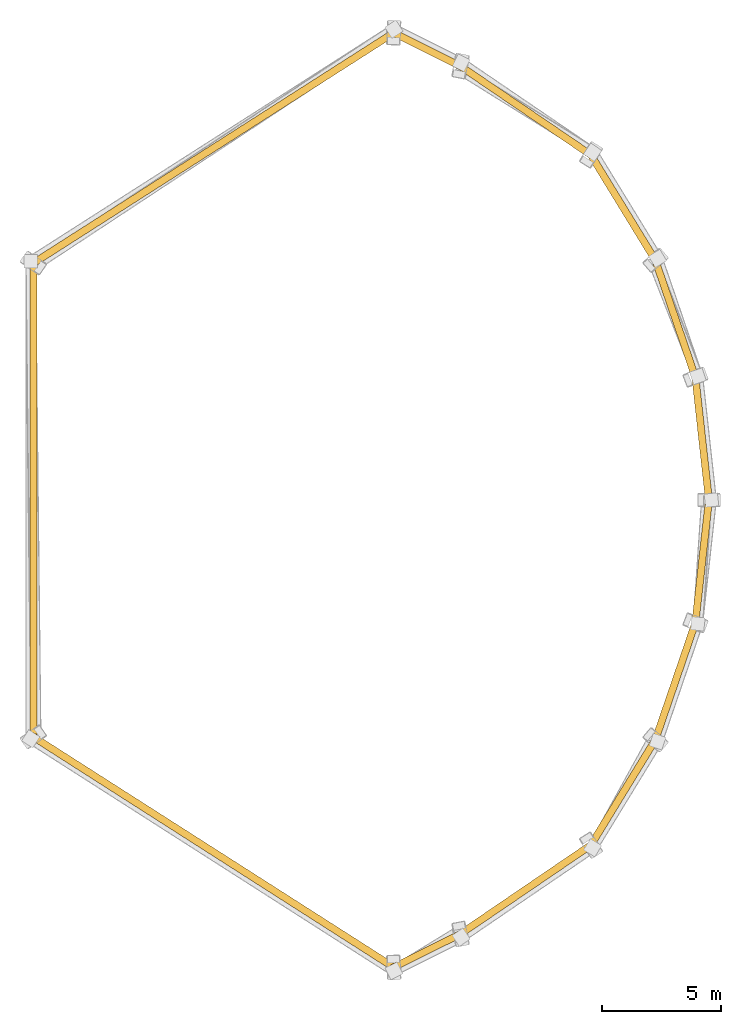
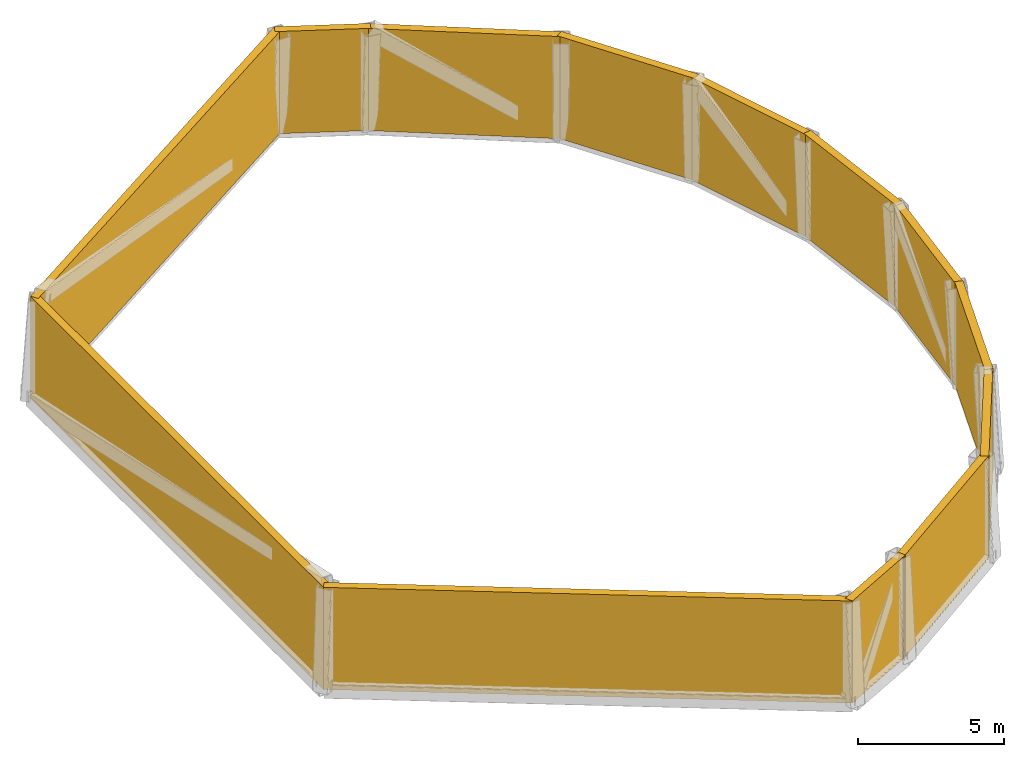
# One storey, part 2 of 2: 13 shading devices.
"""IFC4 building model written with IfcOpenShell, lengths in metres."""

from ifc_helpers import new_model, si_unit, direction, frame, origin, origin_2d, place, context, subcontext, project, spatial, rectangle, extrude, material, type_object, element, save


model = new_model("IFC4")

# Units and contexts
model_context = context("Model", 3, precision=1e-05, world=origin(), true_north=direction((0.0, 1.0)))
body_context = subcontext(model_context, "Body", "Model", "MODEL_VIEW")
ifc_project = project(units=[si_unit("LENGTHUNIT", "METRE"), si_unit("AREAUNIT", "SQUARE_METRE"), si_unit("VOLUMEUNIT", "CUBIC_METRE"), si_unit("PLANEANGLEUNIT", "RADIAN"), si_unit("MASSUNIT", "GRAM", prefix="KILO")], contexts=[model_context])

# Site, building, storey
site_placement = place(None, origin())
site = spatial("IfcSite", under=ifc_project, at=site_placement, CompositionType="ELEMENT")
building_placement = place(site_placement, origin())
building = spatial("IfcBuilding", under=site, at=building_placement, Name="Qorvath Tower", CompositionType="ELEMENT")
storey_placement = place(building_placement, frame((0.0, 0.0, 335.39990234375)))
storey = spatial("IfcBuildingStorey", under=building, at=storey_placement, Name="L78", CompositionType="ELEMENT", Elevation=335.39990234375)

# Shading devices
ifc_material = material(Name="Anodised bronze-champagne aluminium", Category="aluminium")
shading_device_type = type_object("IfcShadingDeviceType", Name="SD-SCREEN", PredefinedType="USERDEFINED", material=ifc_material)
shading_device_1_placement = place(storey_placement, frame((-34.389404296875, 0.0, -0.0400390625), z_axis=(0.0, 0.0, 1.0), x_axis=(0.0, -1.0, 0.0)))
element("IfcShadingDevice", 1, at=shading_device_1_placement, inside=storey, type_object=shading_device_type, Name="Crown Acoustic Louvre Screen L78-01", PredefinedType="NOTDEFINED", context=body_context, shape_type="SweptSolid", body=[
    extrude(rectangle(XDim=20.113525390625, YDim=0.300048828125, at=origin_2d()), origin(), (0.0, 0.0, 1.0), 4.280029296875),
])
shading_device_2_placement = place(storey_placement, frame((-26.80322265625, -14.8251953125, -0.0400390625), z_axis=(0.0, 0.0, 1.0), x_axis=(0.842612216432, -0.538520800637, 0.0)))
element("IfcShadingDevice", 2, at=shading_device_2_placement, inside=storey, type_object=shading_device_type, Name="Crown Acoustic Louvre Screen L78-02", PredefinedType="NOTDEFINED", context=body_context, shape_type="SweptSolid", body=[
    extrude(rectangle(XDim=18.166259765625, YDim=0.300048828125, at=origin_2d()), origin(), (0.0, 0.0, 1.0), 4.280029296875),
])
shading_device_3_placement = place(storey_placement, frame((-17.811767578125, -18.97119140625, -0.0400390625), z_axis=(0.0, 0.0, 1.0), x_axis=(0.894458809618, 0.447150352675, 0.0)))
element("IfcShadingDevice", 3, at=shading_device_3_placement, inside=storey, type_object=shading_device_type, Name="Crown Acoustic Louvre Screen L78-03", PredefinedType="NOTDEFINED", context=body_context, shape_type="SweptSolid", body=[
    extrude(rectangle(XDim=3.302001953125, YDim=0.300048828125, at=origin_2d()), origin(), (0.0, 0.0, 1.0), 4.280029296875),
])
shading_device_4_placement = place(storey_placement, frame((-13.66015625, -16.399169921875, -0.0400390625), z_axis=(0.0, 0.0, 1.0), x_axis=(0.826642788571, 0.562727020947, 0.0)))
element("IfcShadingDevice", 4, at=shading_device_4_placement, inside=storey, type_object=shading_device_type, Name="Crown Acoustic Louvre Screen L78-04", PredefinedType="NOTDEFINED", context=body_context, shape_type="SweptSolid", body=[
    extrude(rectangle(XDim=6.8046875, YDim=0.300048828125, at=origin_2d()), origin(), (0.0, 0.0, 1.0), 4.280029296875),
])
shading_device_5_placement = place(storey_placement, frame((-9.55615234375, -12.310791015625, -0.0400390625), z_axis=(0.0, 0.0, 1.0), x_axis=(0.521935934952, 0.85298468908, 0.0)))
element("IfcShadingDevice", 5, at=shading_device_5_placement, inside=storey, type_object=shading_device_type, Name="Crown Acoustic Louvre Screen L78-05", PredefinedType="NOTDEFINED", context=body_context, shape_type="SweptSolid", body=[
    extrude(rectangle(XDim=5.362060546875, YDim=0.300048828125, at=origin_2d()), origin(), (0.0, 0.0, 1.0), 4.280029296875),
])
shading_device_6_placement = place(storey_placement, frame((-7.357421875, -7.63134765625, -0.0400390625), z_axis=(0.0, 0.0, 1.0), x_axis=(0.323512837136, 0.946223781253, 0.0)))
element("IfcShadingDevice", 6, at=shading_device_6_placement, inside=storey, type_object=shading_device_type, Name="Crown Acoustic Louvre Screen L78-06", PredefinedType="NOTDEFINED", context=body_context, shape_type="SweptSolid", body=[
    extrude(rectangle(XDim=5.361572265625, YDim=0.300048828125, at=origin_2d()), origin(), (0.0, 0.0, 1.0), 4.280029296875),
])
for number, where, z_axis, x_axis, name in (
    (7, (-6.23095703125, -2.585205078125, -0.0400390625), (0.0, 0.0, 1.0), (0.109598996522, 0.993975885, 0.0), "Crown Acoustic Louvre Screen L78-07"),
    (8, (-6.23095703125, 2.585205078125, -0.0400390625), (0.0, 0.0, 1.0), (-0.109598996522, 0.993975885, 0.0), "Crown Acoustic Louvre Screen L78-08"),
):
    element("IfcShadingDevice", number, at=place(storey_placement, frame(where, z_axis=z_axis, x_axis=x_axis)), inside=storey, type_object=shading_device_type, Name=name, PredefinedType="NOTDEFINED", context=body_context, shape_type="SweptSolid", body=[
        extrude(rectangle(XDim=5.36181640625, YDim=0.300048828125, at=origin_2d()), origin(), (0.0, 0.0, 1.0), 4.280029296875),
    ])
shading_device_7_placement = place(storey_placement, frame((-7.357421875, 7.63134765625, -0.0400390625), z_axis=(0.0, 0.0, 1.0), x_axis=(-0.323512837136, 0.946223781253, 0.0)))
element("IfcShadingDevice", 9, at=shading_device_7_placement, inside=storey, type_object=shading_device_type, Name="Crown Acoustic Louvre Screen L78-09", PredefinedType="NOTDEFINED", context=body_context, shape_type="SweptSolid", body=[
    extrude(rectangle(XDim=5.361572265625, YDim=0.300048828125, at=origin_2d()), origin(), (0.0, 0.0, 1.0), 4.280029296875),
])
shading_device_8_placement = place(storey_placement, frame((-9.55615234375, 12.310791015625, -0.0400390625), z_axis=(0.0, 0.0, 1.0), x_axis=(-0.521935934952, 0.85298468908, 0.0)))
element("IfcShadingDevice", 10, at=shading_device_8_placement, inside=storey, type_object=shading_device_type, Name="Crown Acoustic Louvre Screen L78-10", PredefinedType="NOTDEFINED", context=body_context, shape_type="SweptSolid", body=[
    extrude(rectangle(XDim=5.362060546875, YDim=0.300048828125, at=origin_2d()), origin(), (0.0, 0.0, 1.0), 4.280029296875),
])
shading_device_9_placement = place(storey_placement, frame((-13.66015625, 16.399169921875, -0.0400390625), z_axis=(0.0, 0.0, 1.0), x_axis=(-0.826642788571, 0.562727020947, 0.0)))
element("IfcShadingDevice", 11, at=shading_device_9_placement, inside=storey, type_object=shading_device_type, Name="Crown Acoustic Louvre Screen L78-11", PredefinedType="NOTDEFINED", context=body_context, shape_type="SweptSolid", body=[
    extrude(rectangle(XDim=6.8046875, YDim=0.300048828125, at=origin_2d()), origin(), (0.0, 0.0, 1.0), 4.280029296875),
])
shading_device_10_placement = place(storey_placement, frame((-17.811767578125, 18.97119140625, -0.0400390625), z_axis=(0.0, 0.0, 1.0), x_axis=(-0.894458809618, 0.447150352675, 0.0)))
element("IfcShadingDevice", 12, at=shading_device_10_placement, inside=storey, type_object=shading_device_type, Name="Crown Acoustic Louvre Screen L78-12", PredefinedType="NOTDEFINED", context=body_context, shape_type="SweptSolid", body=[
    extrude(rectangle(XDim=3.302001953125, YDim=0.300048828125, at=origin_2d()), origin(), (0.0, 0.0, 1.0), 4.280029296875),
])
shading_device_11_placement = place(storey_placement, frame((-26.80322265625, 14.8251953125, -0.0400390625), z_axis=(0.0, 0.0, 1.0), x_axis=(-0.842612216432, -0.538520800637, 0.0)))
element("IfcShadingDevice", 13, at=shading_device_11_placement, inside=storey, type_object=shading_device_type, Name="Crown Acoustic Louvre Screen L78-13", PredefinedType="NOTDEFINED", context=body_context, shape_type="SweptSolid", body=[
    extrude(rectangle(XDim=18.166259765625, YDim=0.300048828125, at=origin_2d()), origin(), (0.0, 0.0, 1.0), 4.280029296875),
])

save(model, "model.ifc")
